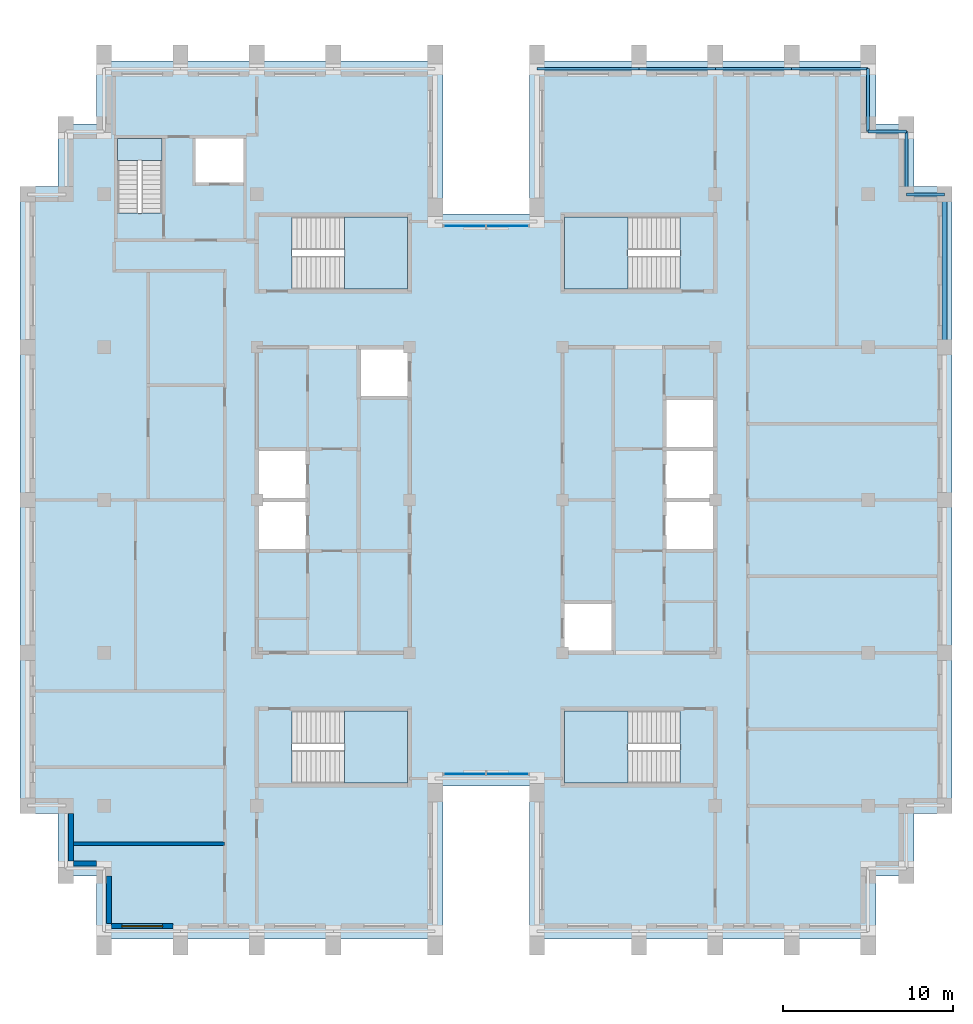
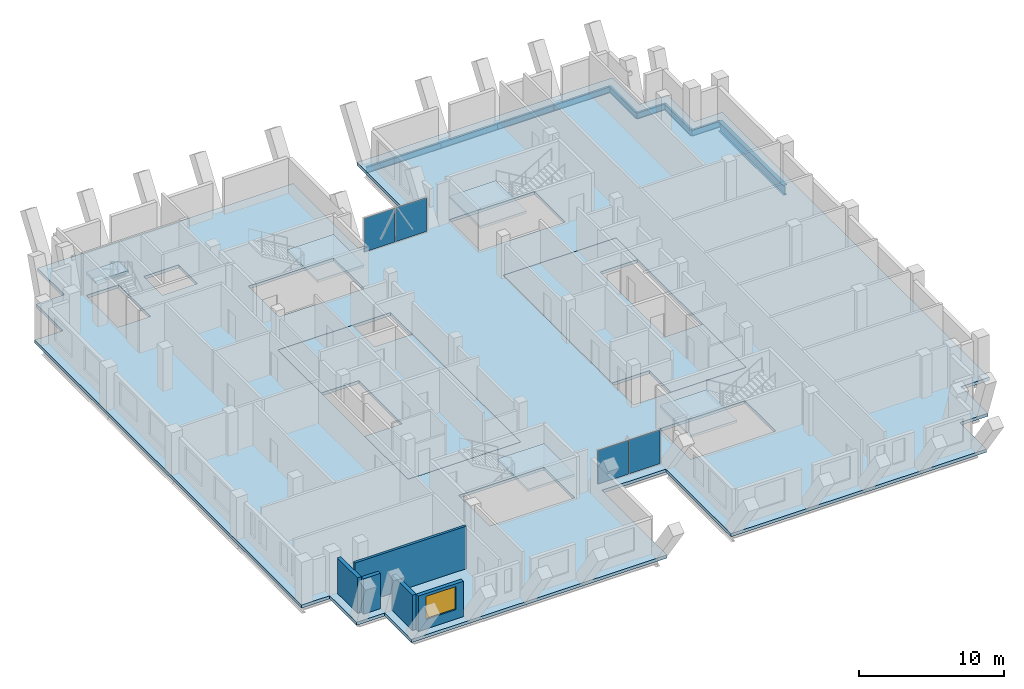
# One storey, part 5 of 13: 9 beams, 8 slabs, 5 walls, 4 plates, 1 window, 1 opening, 7 elements without a shape of their own.
"""IFC4 building model written with IfcOpenShell, lengths in metres."""

from ifc_helpers import new_model, si_unit, direction, frame, frame_2d, origin, origin_2d, place, context, subcontext, project, spatial, polyline, rectangle, i_section, outline, extrude, material, layer, layer_set, material_profile, profile_set, type_object, element, fill, aggregate, save


model = new_model("IFC4")

# Units and contexts
model_context = context("Model", 3, precision=1e-05, world=origin(), true_north=direction((0.0, 1.0)))
body_context = subcontext(model_context, "Body", "Model", "MODEL_VIEW")
ifc_project = project(units=[si_unit("LENGTHUNIT", "METRE"), si_unit("AREAUNIT", "SQUARE_METRE"), si_unit("VOLUMEUNIT", "CUBIC_METRE"), si_unit("PLANEANGLEUNIT", "RADIAN"), si_unit("MASSUNIT", "GRAM", prefix="KILO")], contexts=[model_context])

# Site, building, storey
site_placement = place(None, origin())
site = spatial("IfcSite", under=ifc_project, at=site_placement, CompositionType="ELEMENT")
building_placement = place(site_placement, origin())
building = spatial("IfcBuilding", under=site, at=building_placement, Name="Corbelhall Arena Tower", CompositionType="ELEMENT")
storey_placement = place(building_placement, frame((0.0, 0.0, 346.0)))
storey = spatial("IfcBuildingStorey", under=building, at=storey_placement, Name="L76", CompositionType="ELEMENT", Elevation=346.0)

# Beams
ifc_material_1 = material(Name="Steel ASTM A992 Gr50", Category="steel")
ifc_material_profile_1 = material_profile(ifc_material_1, i_section(OverallWidth=0.16650390625, OverallDepth=0.535888671875, WebThickness=0.01025390625, FlangeThickness=0.0166015625, at=origin_2d()))
ifc_profile_set_1 = profile_set([ifc_material_profile_1], Name="Steel ASTM A992 Gr50")
beam_type_1 = type_object("IfcBeamType", Name="ST-SPANDREL-W21x57", PredefinedType="SPANDREL", material=ifc_profile_set_1)
beam_1_placement = place(storey_placement, frame((3.0, 25.39990234375, -0.528076171875), z_axis=(1.0, 0.0, 0.0), x_axis=(0.0, 1.0, 0.0)))
element("IfcBeam", 1, at=beam_1_placement, inside=storey, type_object=beam_type_1, Name="Beam SP 6", PredefinedType="SPANDREL", context=body_context, shape_type="SweptSolid", body=[
    extrude(i_section(OverallWidth=0.16650390625, OverallDepth=0.535888671875, WebThickness=0.01025390625, FlangeThickness=0.0166015625, at=origin_2d()), origin(), (0.0, 0.0, 1.0), 6.0),
])
for number, where, z_axis, x_axis, name in (
    (2, (9.0, 25.39990234375, -0.528076171875), (1.0, 0.0, 0.0), (0.0, 1.0, 0.0), "Beam SP 7"),
    (3, (13.5, 25.39990234375, -0.528076171875), (1.0, 0.0, 0.0), (0.0, 1.0, 0.0), "Beam SP 8"),
    (4, (18.0, 25.39990234375, -0.528076171875), (1.0, 0.0, 0.0), (0.0, 1.0, 0.0), "Beam SP 9"),
):
    element("IfcBeam", number, at=place(storey_placement, frame(where, z_axis=z_axis, x_axis=x_axis)), inside=storey, type_object=beam_type_1, Name=name, PredefinedType="SPANDREL", context=body_context, shape_type="SweptSolid", body=[
        extrude(i_section(OverallWidth=0.16650390625, OverallDepth=0.535888671875, WebThickness=0.01025390625, FlangeThickness=0.0166015625, at=origin_2d()), origin(), (0.0, 0.0, 1.0), 4.5),
    ])
beam_2_placement = place(storey_placement, frame((22.5, 25.39990234375, -0.528076171875), z_axis=(0.0, -1.0, 0.0), x_axis=(1.0, 0.0, 0.0)))
element("IfcBeam", 5, at=beam_2_placement, inside=storey, type_object=beam_type_1, Name="Beam SP 10", PredefinedType="SPANDREL", context=body_context, shape_type="SweptSolid", body=[
    extrude(i_section(OverallWidth=0.16650390625, OverallDepth=0.535888671875, WebThickness=0.01025390625, FlangeThickness=0.0166015625, at=origin_2d()), origin(), (0.0, 0.0, 1.0), 3.699951171875),
])
beam_3_placement = place(storey_placement, frame((22.5, 21.699951171875, -0.528076171875), z_axis=(1.0, 0.0, 0.0), x_axis=(0.0, 1.0, 0.0)))
element("IfcBeam", 6, at=beam_3_placement, inside=storey, type_object=beam_type_1, Name="Beam SP 35", PredefinedType="SPANDREL", context=body_context, shape_type="SweptSolid", body=[
    extrude(i_section(OverallWidth=0.16650390625, OverallDepth=0.535888671875, WebThickness=0.01025390625, FlangeThickness=0.0166015625, at=origin_2d()), origin(), (0.0, 0.0, 1.0), 2.25),
])
beam_4_placement = place(storey_placement, frame((24.75, 21.699951171875, -0.528076171875), z_axis=(0.0, -1.0, 0.0), x_axis=(1.0, 0.0, 0.0)))
element("IfcBeam", 7, at=beam_4_placement, inside=storey, type_object=beam_type_1, Name="Beam SP 36", PredefinedType="SPANDREL", context=body_context, shape_type="SweptSolid", body=[
    extrude(i_section(OverallWidth=0.16650390625, OverallDepth=0.535888671875, WebThickness=0.01025390625, FlangeThickness=0.0166015625, at=origin_2d()), origin(), (0.0, 0.0, 1.0), 3.699951171875),
])
beam_5_placement = place(storey_placement, frame((24.75, 18.0, -0.528076171875), z_axis=(1.0, 0.0, 0.0), x_axis=(0.0, 1.0, 0.0)))
element("IfcBeam", 8, at=beam_5_placement, inside=storey, type_object=beam_type_1, Name="Beam SP 37", PredefinedType="SPANDREL", context=body_context, shape_type="SweptSolid", body=[
    extrude(i_section(OverallWidth=0.16650390625, OverallDepth=0.535888671875, WebThickness=0.01025390625, FlangeThickness=0.0166015625, at=origin_2d()), origin(), (0.0, 0.0, 1.0), 2.25),
])
ifc_material_profile_2 = material_profile(ifc_material_1, i_section(OverallWidth=0.2919921875, OverallDepth=0.845703125, WebThickness=0.015380859375, FlangeThickness=0.0244140625, at=origin_2d()))
ifc_profile_set_2 = profile_set([ifc_material_profile_2], Name="Steel ASTM A992 Gr50")
beam_type_2 = type_object("IfcBeamType", Name="ST-SPANDREL-W33x141", PredefinedType="SPANDREL", material=ifc_profile_set_2)
beam_6_placement = place(storey_placement, frame((27.0, 18.0, -0.682861328125), z_axis=(0.0, -1.0, 0.0), x_axis=(1.0, 0.0, 0.0)))
element("IfcBeam", 9, at=beam_6_placement, inside=storey, type_object=beam_type_2, Name="Beam SP 3", PredefinedType="SPANDREL", context=body_context, shape_type="SweptSolid", body=[
    extrude(i_section(OverallWidth=0.2919921875, OverallDepth=0.845703125, WebThickness=0.015380859375, FlangeThickness=0.0244140625, at=origin_2d()), origin(), (0.0, 0.0, 1.0), 9.0),
])

# Curtain wall, plates
ifc_material_2 = material(Name="Aluminium black anodised", Category="aluminium")
ifc_layer_1 = layer(ifc_material_2, 0.199951171875)
ifc_layer_set_1 = layer_set([ifc_layer_1], Name="EV-CW1 Slot back wall")
curtain_wall_type = type_object("IfcCurtainWallType", Name="EV-CW1 Slot back wall", PredefinedType="NOTDEFINED", material=ifc_layer_set_1)
curtain_wall_1_placement = place(storey_placement, origin())
curtain_wall_1 = element("IfcCurtainWall", 10, at=curtain_wall_1_placement, inside=storey, type_object=curtain_wall_type, Name="Curtain wall CW1", PredefinedType="NOTDEFINED")
ifc_material_3 = material(Name="Glass dark tinted laminated", Category="glass")
ifc_layer_2 = layer(ifc_material_3, 0.028076171875)
ifc_layer_set_2 = layer_set([ifc_layer_2], Name="EV-CW1-PANEL")
plate_type = type_object("IfcPlateType", Name="EV-CW1-PANEL", PredefinedType="CURTAIN_PANEL", material=ifc_layer_set_2)
plate_1_placement = place(storey_placement, frame((-1.25634765625, -16.14990234375, 0.0751953125), z_axis=(0.0, 0.0, 1.0), x_axis=(1.0, 0.0, 0.0)))
plate_1 = element("IfcPlate", 11, at=plate_1_placement, type_object=plate_type, Name="CW1 panel 1.1", PredefinedType="CURTAIN_PANEL", context=body_context, shape_type="SweptSolid", body=[
    extrude(rectangle(XDim=2.4375, YDim=0.028076171875, at=origin_2d()), origin(), (0.0, 0.0, 1.0), 2.840087890625),
])
plate_2_placement = place(storey_placement, frame((1.25634765625, -16.14990234375, 0.0751953125), z_axis=(0.0, 0.0, 1.0), x_axis=(1.0, 0.0, 0.0)))
plate_2 = element("IfcPlate", 12, at=plate_2_placement, type_object=plate_type, Name="CW1 panel 2.1", PredefinedType="CURTAIN_PANEL", context=body_context, shape_type="SweptSolid", body=[
    extrude(rectangle(XDim=2.4375, YDim=0.028076171875, at=origin_2d()), origin(), (0.0, 0.0, 1.0), 2.840087890625),
])
aggregate(curtain_wall_1, [plate_1, plate_2])

curtain_wall_2_placement = place(storey_placement, origin())
curtain_wall_2 = element("IfcCurtainWall", 13, at=curtain_wall_2_placement, inside=storey, type_object=curtain_wall_type, Name="Curtain wall CW1", PredefinedType="NOTDEFINED")
plate_3_placement = place(storey_placement, frame((1.25634765625, 16.14990234375, 0.0751953125), z_axis=(0.0, 0.0, 1.0), x_axis=(-1.0, 0.0, 0.0)))
plate_3 = element("IfcPlate", 14, at=plate_3_placement, type_object=plate_type, Name="CW1 panel 1.1", PredefinedType="CURTAIN_PANEL", context=body_context, shape_type="SweptSolid", body=[
    extrude(rectangle(XDim=2.4375, YDim=0.028076171875, at=origin_2d()), origin(), (0.0, 0.0, 1.0), 2.840087890625),
])
plate_4_placement = place(storey_placement, frame((-1.25634765625, 16.14990234375, 0.0751953125), z_axis=(0.0, 0.0, 1.0), x_axis=(-1.0, 0.0, 0.0)))
plate_4 = element("IfcPlate", 15, at=plate_4_placement, type_object=plate_type, Name="CW1 panel 2.1", PredefinedType="CURTAIN_PANEL", context=body_context, shape_type="SweptSolid", body=[
    extrude(rectangle(XDim=2.4375, YDim=0.028076171875, at=origin_2d()), origin(), (0.0, 0.0, 1.0), 2.840087890625),
])
aggregate(curtain_wall_2, [plate_3, plate_4])

# Slabs
ifc_material_4 = material(Name="Concrete C40/50", Category="concrete")
ifc_layer_3 = layer(ifc_material_4, 0.300048828125)
ifc_layer_set_3 = layer_set([ifc_layer_3], Name="IN-SL-CORE")
slab_type_1 = type_object("IfcSlabType", Name="IN-SL-CORE", PredefinedType="FLOOR", material=ifc_layer_set_3)
slab_1_placement = place(storey_placement, frame((0.0, 0.0, -0.260009765625)))
element("IfcSlab", 16, at=slab_1_placement, inside=storey, type_object=slab_type_1, Name="Core floor W", PredefinedType="FLOOR", context=body_context, shape_type="SweptSolid", body=[
    extrude(outline(polyline([(-13.5, -3.0), (-13.5, -9.0), (-4.5, -9.0), (-4.5, 6.0), (-7.5, 6.0), (-7.5, 9.0), (-13.5, 9.0), (-13.5, 3.0), (-10.5, 3.0), (-10.5, 0.0), (-10.5, -3.0), (-13.5, -3.0)])), origin(), (0.0, 0.0, 1.0), 0.260009765625),
])
slab_2_placement = place(storey_placement, frame((0.0, 0.0, -0.260009765625)))
element("IfcSlab", 17, at=slab_2_placement, inside=storey, type_object=slab_type_1, Name="Core floor E", PredefinedType="FLOOR", context=body_context, shape_type="SweptSolid", body=[
    extrude(outline(polyline([(10.5, 0.0), (10.5, 3.0), (10.5, 6.0), (13.5, 6.0), (13.5, 9.0), (4.5, 9.0), (4.5, -6.0), (7.5, -6.0), (7.5, -9.0), (13.5, -9.0), (13.5, -3.0), (10.5, -3.0), (10.5, 0.0)])), origin(), (0.0, 0.0, 1.0), 0.260009765625),
])

# Stair, slab
stair_type = type_object("IfcStairType", Name="IN-ST-TOWER", PredefinedType="HALF_TURN_STAIR", material=ifc_material_4)
stair_1_placement = place(storey_placement, origin())
stair_1 = element("IfcStair", 18, at=stair_1_placement, inside=storey, type_object=stair_type, Name="L76 Exit stair ST1", PredefinedType="HALF_TURN_STAIR")
ifc_layer_4 = layer(ifc_material_4, 0.199951171875)
ifc_layer_set_4 = layer_set([ifc_layer_4], Name="IN-SL-LANDING")
slab_type_2 = type_object("IfcSlabType", Name="IN-SL-LANDING", PredefinedType="LANDING", material=ifc_layer_set_4)
slab_3_placement = place(storey_placement, frame((0.0, 0.0, 1.800048828125)))
slab_3 = element("IfcSlab", 19, at=slab_3_placement, type_object=slab_type_2, Name="ST1 landing 1", PredefinedType="LANDING", context=body_context, shape_type="SweptSolid", body=[
    extrude(outline(polyline([(-8.344970703125, 12.425048828125), (-4.625, 12.425048828125), (-4.625, 16.675048828125), (-8.344970703125, 16.675048828125), (-8.344970703125, 12.425048828125)])), origin(), (0.0, 0.0, 1.0), 0.199951171875),
])
aggregate(stair_1, [slab_3])

stair_2_placement = place(storey_placement, origin())
stair_2 = element("IfcStair", 20, at=stair_2_placement, inside=storey, type_object=stair_type, Name="L76 Exit stair ST2", PredefinedType="HALF_TURN_STAIR")
slab_4_placement = place(storey_placement, frame((0.0, 0.0, 1.800048828125)))
slab_4 = element("IfcSlab", 21, at=slab_4_placement, type_object=slab_type_2, Name="ST2 landing 1", PredefinedType="LANDING", context=body_context, shape_type="SweptSolid", body=[
    extrude(outline(polyline([(-8.344970703125, -16.675048828125), (-4.625, -16.675048828125), (-4.625, -12.425048828125), (-8.344970703125, -12.425048828125), (-8.344970703125, -16.675048828125)])), origin(), (0.0, 0.0, 1.0), 0.199951171875),
])
aggregate(stair_2, [slab_4])

stair_3_placement = place(storey_placement, origin())
stair_3 = element("IfcStair", 22, at=stair_3_placement, inside=storey, type_object=stair_type, Name="L76 Exit stair ST3", PredefinedType="HALF_TURN_STAIR")
slab_5_placement = place(storey_placement, frame((0.0, 0.0, 1.800048828125)))
slab_5 = element("IfcSlab", 23, at=slab_5_placement, type_object=slab_type_2, Name="ST3 landing 1", PredefinedType="LANDING", context=body_context, shape_type="SweptSolid", body=[
    extrude(outline(polyline([(8.344970703125, 16.675048828125), (4.625, 16.675048828125), (4.625, 12.425048828125), (8.344970703125, 12.425048828125), (8.344970703125, 16.675048828125)])), origin(), (0.0, 0.0, 1.0), 0.199951171875),
])
aggregate(stair_3, [slab_5])

stair_4_placement = place(storey_placement, origin())
stair_4 = element("IfcStair", 24, at=stair_4_placement, inside=storey, type_object=stair_type, Name="L76 Exit stair ST4", PredefinedType="HALF_TURN_STAIR")
slab_6_placement = place(storey_placement, frame((0.0, 0.0, 1.800048828125)))
slab_6 = element("IfcSlab", 25, at=slab_6_placement, type_object=slab_type_2, Name="ST4 landing 1", PredefinedType="LANDING", context=body_context, shape_type="SweptSolid", body=[
    extrude(outline(polyline([(8.344970703125, -12.425048828125), (4.625, -12.425048828125), (4.625, -16.675048828125), (8.344970703125, -16.675048828125), (8.344970703125, -12.425048828125)])), origin(), (0.0, 0.0, 1.0), 0.199951171875),
])
aggregate(stair_4, [slab_6])

stair_5_placement = place(storey_placement, origin())
stair_5 = element("IfcStair", 26, at=stair_5_placement, inside=storey, type_object=stair_type, Name="L76 Exit stair ST5", PredefinedType="HALF_TURN_STAIR")
slab_7_placement = place(storey_placement, frame((0.0, 0.0, 1.800048828125)))
slab_7 = element("IfcSlab", 27, at=slab_7_placement, type_object=slab_type_2, Name="ST5 landing 1", PredefinedType="LANDING", context=body_context, shape_type="SweptSolid", body=[
    extrude(outline(polyline([(-19.094970703125, 19.97998046875), (-19.094970703125, 21.300048828125), (-21.695068359375, 21.300048828125), (-21.695068359375, 19.97998046875), (-19.094970703125, 19.97998046875)])), origin(), (0.0, 0.0, 1.0), 0.199951171875),
])
aggregate(stair_5, [slab_7])

# Slab
ifc_layer_5 = layer(ifc_material_4, 0.260009765625)
ifc_layer_set_5 = layer_set([ifc_layer_5], Name="ST-SLAB-FLOOR-260")
slab_type_3 = type_object("IfcSlabType", Name="ST-SLAB-FLOOR-260", PredefinedType="FLOOR", material=ifc_layer_set_5)
slab_8_placement = place(storey_placement, frame((0.0, 0.0, -0.260009765625)))
element("IfcSlab", 28, at=slab_8_placement, inside=storey, type_object=slab_type_3, Name="Floor slab L76 1", PredefinedType="FLOOR", context=body_context, shape_type="SweptSolid", body=[
    extrude(outline(polyline([(22.949951171875, 25.85009765625), (2.550048828125, 25.85009765625), (2.550048828125, 16.85009765625), (-2.550048828125, 16.85009765625), (-2.550048828125, 25.85009765625), (-22.949951171875, 25.85009765625), (-22.949951171875, 22.14990234375), (-25.199951171875, 22.14990234375), (-25.199951171875, 18.449951171875), (-27.449951171875, 18.449951171875), (-27.449951171875, -18.449951171875), (-25.199951171875, -18.449951171875), (-25.199951171875, -22.14990234375), (-22.949951171875, -22.14990234375), (-22.949951171875, -25.85009765625), (-2.550048828125, -25.85009765625), (-2.550048828125, -16.85009765625), (2.550048828125, -16.85009765625), (2.550048828125, -25.85009765625), (22.949951171875, -25.85009765625), (22.949951171875, -22.14990234375), (25.199951171875, -22.14990234375), (25.199951171875, -18.449951171875), (27.449951171875, -18.449951171875), (27.449951171875, 18.449951171875), (25.199951171875, 18.449951171875), (25.199951171875, 22.14990234375), (22.949951171875, 22.14990234375), (22.949951171875, 25.85009765625)]), holes=[polyline([(-13.5, 9.0), (-13.5, -9.0), (-4.5, -9.0), (-4.5, 9.0), (-13.5, 9.0)]), polyline([(4.5, 9.0), (4.5, -9.0), (13.5, -9.0), (13.5, 9.0), (4.5, 9.0)]), polyline([(-4.625, 16.675048828125), (-11.422119140625, 16.675048828125), (-11.422119140625, 12.425048828125), (-4.625, 12.425048828125), (-4.625, 16.675048828125)]), polyline([(-4.625, -16.675048828125), (-4.625, -12.425048828125), (-11.422119140625, -12.425048828125), (-11.422119140625, -16.675048828125), (-4.625, -16.675048828125)]), polyline([(11.422119140625, 16.675048828125), (4.625, 16.675048828125), (4.625, 12.425048828125), (11.422119140625, 12.425048828125), (11.422119140625, 16.675048828125)]), polyline([(11.422119140625, -16.675048828125), (11.422119140625, -12.425048828125), (4.625, -12.425048828125), (4.625, -16.675048828125), (11.422119140625, -16.675048828125)]), polyline([(-21.695068359375, 21.300048828125), (-21.695068359375, 16.903076171875), (-19.094970703125, 16.903076171875), (-19.094970703125, 21.300048828125), (-21.695068359375, 21.300048828125)]), polyline([(-14.300048828125, 21.300048828125), (-17.10009765625, 21.300048828125), (-17.10009765625, 18.699951171875), (-14.300048828125, 18.699951171875), (-14.300048828125, 21.300048828125)])]), origin(), (0.0, 0.0, 1.0), 0.260009765625),
])

# Walls
ifc_material_5 = material(Name="Precast concrete C40/50 with granite facing", Category="masonry")
ifc_layer_6 = layer(ifc_material_5, 0.300048828125)
ifc_layer_set_6 = layer_set([ifc_layer_6], Name="EV-IW1 Infill panel 300")
wall_type_1 = type_object("IfcWallType", Name="EV-IW1 Infill panel 300", PredefinedType="SOLIDWALL", material=ifc_layer_set_6)
wall_1_placement = place(storey_placement, frame((-24.449951171875, -18.449951171875, 0.0), z_axis=(0.0, 0.0, 1.0), x_axis=(0.0, -1.0, 0.0)))
element("IfcWall", 29, at=wall_1_placement, inside=storey, type_object=wall_type_1, Name="Infill panel IW1", PredefinedType="SOLIDWALL", context=body_context, shape_type="SweptSolid", body=[
    extrude(rectangle(XDim=2.800048828125, YDim=0.300048828125, at=frame_2d((1.39990234375, 0.0))), origin(), (0.0, 0.0, 1.0), 2.989990234375),
])
wall_2_placement = place(storey_placement, frame((-24.300048828125, -21.39990234375, 0.0), z_axis=(0.0, 0.0, 1.0), x_axis=(1.0, 0.0, 0.0)))
element("IfcWall", 30, at=wall_2_placement, inside=storey, type_object=wall_type_1, Name="Infill panel IW1", PredefinedType="SOLIDWALL", context=body_context, shape_type="SweptSolid", body=[
    extrude(rectangle(XDim=1.35009765625, YDim=0.300048828125, at=frame_2d((0.675048828125, 0.0))), origin(), (0.0, 0.0, 1.0), 2.989990234375),
])
wall_3_placement = place(storey_placement, frame((-22.199951171875, -22.14990234375, 0.0), z_axis=(0.0, 0.0, 1.0), x_axis=(0.0, -1.0, 0.0)))
element("IfcWall", 31, at=wall_3_placement, inside=storey, type_object=wall_type_1, Name="Infill panel IW1", PredefinedType="SOLIDWALL", context=body_context, shape_type="SweptSolid", body=[
    extrude(rectangle(XDim=2.800048828125, YDim=0.300048828125, at=frame_2d((1.39990234375, 0.0))), origin(), (0.0, 0.0, 1.0), 2.989990234375),
])

# Wall, opening, window
wall_4_placement = place(storey_placement, frame((-22.050048828125, -25.10009765625, 0.0), z_axis=(0.0, 0.0, 1.0), x_axis=(1.0, 0.0, 0.0)))
wall_4 = element("IfcWall", 32, at=wall_4_placement, inside=storey, type_object=wall_type_1, Name="Infill panel IW1", PredefinedType="SOLIDWALL", context=body_context, shape_type="SweptSolid", body=[
    extrude(rectangle(XDim=3.60009765625, YDim=0.300048828125, at=frame_2d((1.800048828125, 0.0))), origin(), (0.0, 0.0, 1.0), 2.989990234375),
])
opening_placement = place(wall_4_placement, frame((0.60009765625, 0.0, 0.800048828125)))
opening = element("IfcOpeningElement", 33, at=opening_placement, cuts=wall_4, Name="Opening WN1", PredefinedType="OPENING", context=body_context, shape_type="SweptSolid", body=[
    extrude(rectangle(XDim=2.39990234375, YDim=1.949951171875, at=frame_2d((1.199951171875, 0.97509765625))), frame((0.0, 0.14990234375, 0.0), z_axis=(0.0, -1.0, 0.0), x_axis=(1.0, 0.0, 0.0)), (0.0, 0.0, 1.0), 0.300048828125),
])
window_type = type_object("IfcWindowType", Name="EV-WN1 Office window", PartitioningType="SINGLE_PANEL", PredefinedType="WINDOW", material=ifc_material_2)
window_placement = place(opening_placement, origin())
window = element("IfcWindow", 34, at=window_placement, inside=storey, type_object=window_type, Name="Window WN1", OverallHeight=1.949951171875, OverallWidth=2.39990234375, PartitioningType="SINGLE_PANEL", PredefinedType="WINDOW", context=body_context, shape_type="SweptSolid", body=[
    extrude(rectangle(XDim=2.39990234375, YDim=1.949951171875, at=frame_2d((1.199951171875, 0.97509765625))), frame((0.0, 0.030029296875, 0.0), z_axis=(0.0, -1.0, 0.0), x_axis=(1.0, 0.0, 0.0)), (0.0, 0.0, 1.0), 0.06005859375),
])
fill(opening, window)

# Wall
ifc_material_6 = material(Name="Gypsum board on steel stud, acoustic", Category="steel")
ifc_layer_7 = layer(ifc_material_6, 0.199951171875)
ifc_layer_set_7 = layer_set([ifc_layer_7], Name="IN-W-DM200")
wall_type_2 = type_object("IfcWallType", Name="IN-W-DM200", PredefinedType="PARTITIONING", material=ifc_layer_set_7)
wall_5_placement = place(storey_placement, frame((-24.300048828125, -20.25, 0.0), z_axis=(0.0, 0.0, 1.0), x_axis=(1.0, 0.0, 0.0)))
element("IfcWall", 35, at=wall_5_placement, inside=storey, type_object=wall_type_2, Name="Partition 003", PredefinedType="PARTITIONING", context=body_context, shape_type="SweptSolid", body=[
    extrude(rectangle(XDim=8.900146484375, YDim=0.199951171875, at=frame_2d((4.4501953125, 0.0))), origin(), (0.0, 0.0, 1.0), 3.590087890625),
])

save(model, "model.ifc")
